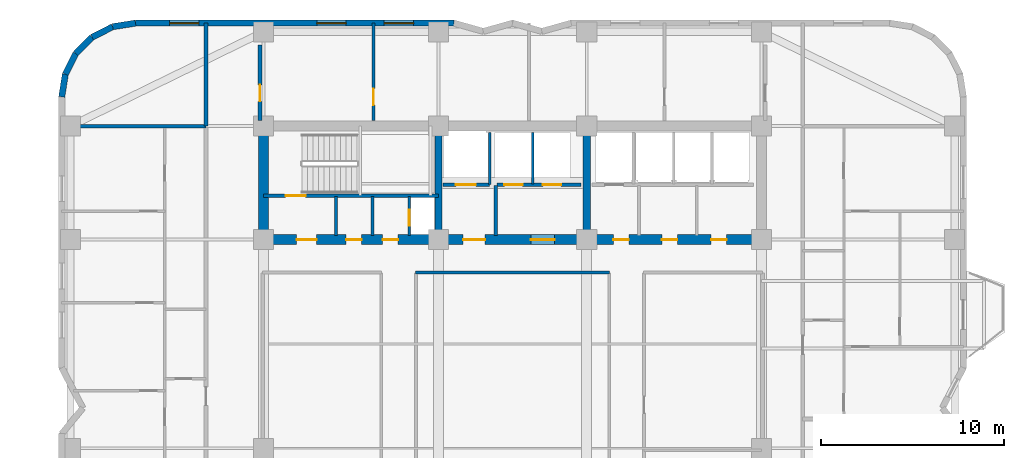
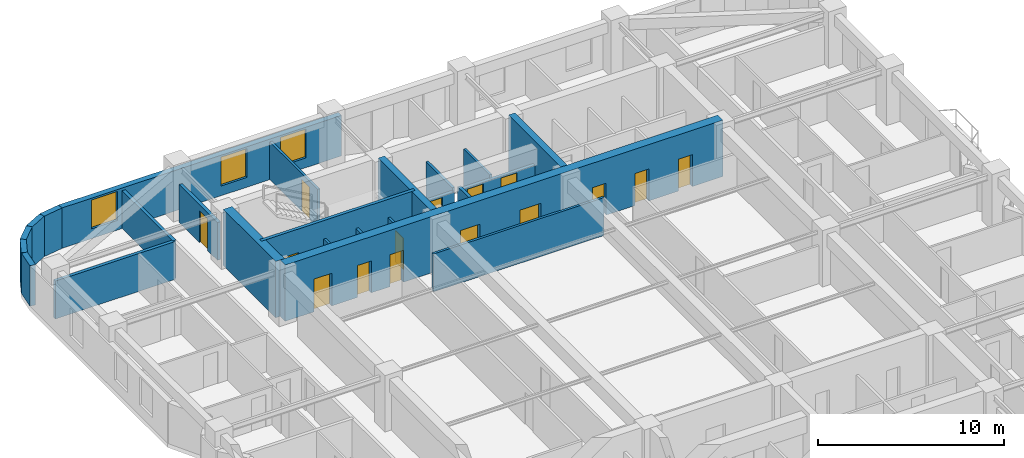
# One storey, part 6 of 10: 24 walls, 15 doors, 3 windows, 18 openings.
"""IFC4 building model written with IfcOpenShell, lengths in metres."""

from ifc_helpers import new_model, si_unit, direction, frame, frame_2d, origin, place, context, subcontext, project, spatial, rectangle, extrude, material, layer, layer_set, type_object, element, fill, save


model = new_model("IFC4")

# Units and contexts
model_context = context("Model", 3, precision=1e-05, world=origin(), true_north=direction((0.0, 1.0)))
body_context = subcontext(model_context, "Body", "Model", "MODEL_VIEW")
ifc_project = project(units=[si_unit("LENGTHUNIT", "METRE"), si_unit("AREAUNIT", "SQUARE_METRE"), si_unit("VOLUMEUNIT", "CUBIC_METRE"), si_unit("PLANEANGLEUNIT", "RADIAN"), si_unit("MASSUNIT", "GRAM", prefix="KILO")], contexts=[model_context])

# Site, building, storey
site_placement = place(None, origin())
site = spatial("IfcSite", under=ifc_project, at=site_placement, CompositionType="ELEMENT")
building_placement = place(site_placement, origin())
building = spatial("IfcBuilding", under=site, at=building_placement, Name="Svetorya Sky Lyceum", CompositionType="ELEMENT")
storey_placement = place(building_placement, frame((0.0, 0.0, 132.699951171875)))
storey = spatial("IfcBuildingStorey", under=building, at=storey_placement, Name="L33", CompositionType="ELEMENT", Elevation=132.699951171875)

# Walls
ifc_material_1 = material(Name="Concrete C40/50", Category="concrete")
ifc_layer_1 = layer(ifc_material_1, 0.39990234375)
ifc_layer_set_1 = layer_set([ifc_layer_1], Name="Concrete C40/50")
wall_type_1 = type_object("IfcWallType", Name="WL-CORE-400", PredefinedType="SHEAR", material=ifc_layer_set_1)
for number, where, z_axis, x_axis, name in (
    (1, (35.14990234375, 39.875, 0.0), (0.0, 0.0, 1.0), (0.0, 1.0, 0.0), "L33 NC Internal Shear Web WEB1"),
    (2, (43.25, 39.875, 0.0), (0.0, 0.0, 1.0), (0.0, 1.0, 0.0), "L33 NC Internal Shear Web WEB2"),
):
    element("IfcWall", number, at=place(storey_placement, frame(where, z_axis=z_axis, x_axis=x_axis)), inside=storey, type_object=wall_type_1, Name=name, PredefinedType="SHEAR", context=body_context, shape_type="SweptSolid", body=[
        extrude(rectangle(XDim=5.64990234375, YDim=0.39990234375, at=frame_2d((2.824951171875, 0.0))), origin(), (0.0, 0.0, 1.0), 3.699951171875),
    ])
ifc_material_2 = material(Name="Concrete C60/75", Category="concrete")
ifc_layer_2 = layer(ifc_material_2, 0.550048828125)
ifc_layer_set_2 = layer_set([ifc_layer_2], Name="Concrete C60/75")
wall_type_2 = type_object("IfcWallType", Name="WL-CORE-550", PredefinedType="SHEAR", material=ifc_layer_set_2)
wall_1_placement = place(storey_placement, frame((25.60009765625, 39.875, 0.0), z_axis=(0.0, 0.0, 1.0), x_axis=(0.0, 1.0, 0.0)))
element("IfcWall", 3, at=wall_1_placement, inside=storey, type_object=wall_type_2, Name="L33 NC West Core Shear Wall", PredefinedType="SHEAR", context=body_context, shape_type="SweptSolid", body=[
    extrude(rectangle(XDim=5.64990234375, YDim=0.550048828125, at=frame_2d((2.824951171875, 0.0))), origin(), (0.0, 0.0, 1.0), 3.699951171875),
])

# Wall, openings, doors
wall_2_placement = place(storey_placement, frame((52.800048828125, 39.60009765625, 0.0), z_axis=(0.0, 0.0, 1.0), x_axis=(-1.0, 0.0, 0.0)))
wall_2 = element("IfcWall", 4, at=wall_2_placement, inside=storey, type_object=wall_type_2, Name="L33 NC Inner Core Shear Wall", PredefinedType="SHEAR", context=body_context, shape_type="SweptSolid", body=[
    extrude(rectangle(XDim=27.199951171875, YDim=0.550048828125, at=frame_2d((13.60009765625, 0.0))), origin(), (0.0, 0.0, 1.0), 3.699951171875),
])
opening_1_placement = place(wall_2_placement, frame((24.300048828125, 0.0, 0.0)))
opening_1 = element("IfcOpeningElement", 5, at=opening_1_placement, cuts=wall_2, Name="Opening D-ST1", PredefinedType="OPENING", context=body_context, shape_type="SweptSolid", body=[
    extrude(rectangle(XDim=1.10009765625, YDim=2.14990234375, at=frame_2d((0.550048828125, 1.074951171875))), frame((0.0, 0.284912109375, 0.0), z_axis=(0.0, -1.0, 0.0), x_axis=(1.0, 0.0, 0.0)), (0.0, 0.0, 1.0), 0.570068359375),
])
opening_2_placement = place(wall_2_placement, frame((21.85009765625, 0.0, 0.0)))
opening_2 = element("IfcOpeningElement", 6, at=opening_2_placement, cuts=wall_2, Name="Opening D-CWC1", PredefinedType="OPENING", context=body_context, shape_type="SweptSolid", body=[
    extrude(rectangle(XDim=0.85009765625, YDim=2.10009765625, at=frame_2d((0.425048828125, 1.050048828125))), frame((0.0, 0.284912109375, 0.0), z_axis=(0.0, -1.0, 0.0), x_axis=(1.0, 0.0, 0.0)), (0.0, 0.0, 1.0), 0.570068359375),
])
opening_3_placement = place(wall_2_placement, frame((19.85009765625, 0.0, 0.0)))
opening_3 = element("IfcOpeningElement", 7, at=opening_3_placement, cuts=wall_2, Name="Opening D-CWC1", PredefinedType="OPENING", context=body_context, shape_type="SweptSolid", body=[
    extrude(rectangle(XDim=0.85009765625, YDim=2.10009765625, at=frame_2d((0.425048828125, 1.050048828125))), frame((0.0, 0.284912109375, 0.0), z_axis=(0.0, -1.0, 0.0), x_axis=(1.0, 0.0, 0.0)), (0.0, 0.0, 1.0), 0.570068359375),
])
opening_4_placement = place(wall_2_placement, frame((15.10009765625, 0.0, 0.0)))
opening_4 = element("IfcOpeningElement", 8, at=opening_4_placement, cuts=wall_2, Name="Opening D-FL1", PredefinedType="OPENING", context=body_context, shape_type="SweptSolid", body=[
    extrude(rectangle(XDim=1.199951171875, YDim=2.14990234375, at=frame_2d((0.60009765625, 1.074951171875))), frame((0.0, 0.284912109375, 0.0), z_axis=(0.0, -1.0, 0.0), x_axis=(1.0, 0.0, 0.0)), (0.0, 0.0, 1.0), 0.570068359375),
])
opening_5_placement = place(wall_2_placement, frame((11.300048828125, 0.0, 0.0)))
opening_5 = element("IfcOpeningElement", 9, at=opening_5_placement, cuts=wall_2, Name="Opening D-LB1", PredefinedType="OPENING", context=body_context, shape_type="SweptSolid", body=[
    extrude(rectangle(XDim=1.300048828125, YDim=2.199951171875, at=frame_2d((0.64990234375, 1.10009765625))), frame((0.0, 0.284912109375, 0.0), z_axis=(0.0, -1.0, 0.0), x_axis=(1.0, 0.0, 0.0)), (0.0, 0.0, 1.0), 0.570068359375),
])
opening_6_placement = place(wall_2_placement, frame((7.25, 0.0, 0.0)))
opening_6 = element("IfcOpeningElement", 10, at=opening_6_placement, cuts=wall_2, Name="Opening D-CWC1", PredefinedType="OPENING", context=body_context, shape_type="SweptSolid", body=[
    extrude(rectangle(XDim=0.85009765625, YDim=2.10009765625, at=frame_2d((0.425048828125, 1.050048828125))), frame((0.0, 0.284912109375, 0.0), z_axis=(0.0, -1.0, 0.0), x_axis=(1.0, 0.0, 0.0)), (0.0, 0.0, 1.0), 0.570068359375),
])
opening_7_placement = place(wall_2_placement, frame((4.60009765625, 0.0, 0.0)))
opening_7 = element("IfcOpeningElement", 11, at=opening_7_placement, cuts=wall_2, Name="Opening D-CWC1", PredefinedType="OPENING", context=body_context, shape_type="SweptSolid", body=[
    extrude(rectangle(XDim=0.85009765625, YDim=2.10009765625, at=frame_2d((0.425048828125, 1.050048828125))), frame((0.0, 0.284912109375, 0.0), z_axis=(0.0, -1.0, 0.0), x_axis=(1.0, 0.0, 0.0)), (0.0, 0.0, 1.0), 0.570068359375),
])
opening_8_placement = place(wall_2_placement, frame((1.89990234375, 0.0, 0.0)))
opening_8 = element("IfcOpeningElement", 12, at=opening_8_placement, cuts=wall_2, Name="Opening D-CWC1", PredefinedType="OPENING", context=body_context, shape_type="SweptSolid", body=[
    extrude(rectangle(XDim=0.85009765625, YDim=2.10009765625, at=frame_2d((0.425048828125, 1.050048828125))), frame((0.0, 0.284912109375, 0.0), z_axis=(0.0, -1.0, 0.0), x_axis=(1.0, 0.0, 0.0)), (0.0, 0.0, 1.0), 0.570068359375),
])
ifc_material_3 = material(Name="Fire-rated galvanized steel core service closet door", Category="steel")
door_type_1 = type_object("IfcDoorType", Name="DR-CWET-850", OperationType="SINGLE_SWING_LEFT", PredefinedType="DOOR", material=ifc_material_3)
door_1_placement = place(opening_2_placement, origin())
door_1 = element("IfcDoor", 13, at=door_1_placement, inside=storey, type_object=door_type_1, Name="L33 North Cleaner Door", OperationType="SINGLE_SWING_RIGHT", OverallHeight=2.10009765625, OverallWidth=0.85009765625, PredefinedType="DOOR", context=body_context, shape_type="SweptSolid", body=[
    extrude(rectangle(XDim=0.85009765625, YDim=2.10009765625, at=frame_2d((0.425048828125, 1.050048828125))), frame((0.0, 0.02490234375, 0.0), z_axis=(0.0, -1.0, 0.0), x_axis=(1.0, 0.0, 0.0)), (0.0, 0.0, 1.0), 0.050048828125),
])
fill(opening_2, door_1)
door_2_placement = place(opening_3_placement, origin())
door_2 = element("IfcDoor", 14, at=door_2_placement, inside=storey, type_object=door_type_1, Name="L33 North Meter Door", OperationType="SINGLE_SWING_LEFT", OverallHeight=2.10009765625, OverallWidth=0.85009765625, PredefinedType="DOOR", context=body_context, shape_type="SweptSolid", body=[
    extrude(rectangle(XDim=0.85009765625, YDim=2.10009765625, at=frame_2d((0.425048828125, 1.050048828125))), frame((0.0, 0.02490234375, 0.0), z_axis=(0.0, -1.0, 0.0), x_axis=(1.0, 0.0, 0.0)), (0.0, 0.0, 1.0), 0.050048828125),
])
fill(opening_3, door_2)
door_3_placement = place(opening_6_placement, origin())
door_3 = element("IfcDoor", 15, at=door_3_placement, inside=storey, type_object=door_type_1, Name="L33 Mid-Rise Lift PM3 Lobby Door", OperationType="SINGLE_SWING_LEFT", OverallHeight=2.10009765625, OverallWidth=0.85009765625, PredefinedType="DOOR", context=body_context, shape_type="SweptSolid", body=[
    extrude(rectangle(XDim=0.85009765625, YDim=2.10009765625, at=frame_2d((0.425048828125, 1.050048828125))), frame((0.0, 0.02490234375, 0.0), z_axis=(0.0, -1.0, 0.0), x_axis=(1.0, 0.0, 0.0)), (0.0, 0.0, 1.0), 0.050048828125),
])
fill(opening_6, door_3)
door_4_placement = place(opening_7_placement, origin())
door_4 = element("IfcDoor", 16, at=door_4_placement, inside=storey, type_object=door_type_1, Name="L33 Mid-Rise WC Door", OperationType="SINGLE_SWING_LEFT", OverallHeight=2.10009765625, OverallWidth=0.85009765625, PredefinedType="DOOR", context=body_context, shape_type="SweptSolid", body=[
    extrude(rectangle(XDim=0.85009765625, YDim=2.10009765625, at=frame_2d((0.425048828125, 1.050048828125))), frame((0.0, 0.02490234375, 0.0), z_axis=(0.0, -1.0, 0.0), x_axis=(1.0, 0.0, 0.0)), (0.0, 0.0, 1.0), 0.050048828125),
])
fill(opening_7, door_4)
door_5_placement = place(opening_8_placement, origin())
door_5 = element("IfcDoor", 17, at=door_5_placement, inside=storey, type_object=door_type_1, Name="L33 Mid-Rise Switch Closet Door", OperationType="SINGLE_SWING_RIGHT", OverallHeight=2.10009765625, OverallWidth=0.85009765625, PredefinedType="DOOR", context=body_context, shape_type="SweptSolid", body=[
    extrude(rectangle(XDim=0.85009765625, YDim=2.10009765625, at=frame_2d((0.425048828125, 1.050048828125))), frame((0.0, 0.02490234375, 0.0), z_axis=(0.0, -1.0, 0.0), x_axis=(1.0, 0.0, 0.0)), (0.0, 0.0, 1.0), 0.050048828125),
])
fill(opening_8, door_5)
ifc_material_4 = material(Name="Powder-coated insulated galvanized stair fire door")
door_type_2 = type_object("IfcDoorType", Name="DR-FIRE-1100", OperationType="SINGLE_SWING_LEFT", PredefinedType="DOOR", material=ifc_material_4)
door_6_placement = place(opening_1_placement, origin())
door_6 = element("IfcDoor", 18, at=door_6_placement, inside=storey, type_object=door_type_2, Name="L33 North Stair Airlock Door", OperationType="SINGLE_SWING_LEFT", OverallHeight=2.14990234375, OverallWidth=1.10009765625, PredefinedType="DOOR", context=body_context, shape_type="SweptSolid", body=[
    extrude(rectangle(XDim=1.10009765625, YDim=2.14990234375, at=frame_2d((0.550048828125, 1.074951171875))), frame((0.0, 0.02490234375, 0.0), z_axis=(0.0, -1.0, 0.0), x_axis=(1.0, 0.0, 0.0)), (0.0, 0.0, 1.0), 0.050048828125),
])
fill(opening_1, door_6)
ifc_material_5 = material(Name="Powder-coated insulated galvanized fire door")
door_type_3 = type_object("IfcDoorType", Name="DR-FIRE-1200", OperationType="SINGLE_SWING_LEFT", PredefinedType="DOOR", material=ifc_material_5)
door_7_placement = place(opening_4_placement, origin())
door_7 = element("IfcDoor", 19, at=door_7_placement, inside=storey, type_object=door_type_3, Name="L33 North Firefighting Lift Lobby Door", OperationType="SINGLE_SWING_RIGHT", OverallHeight=2.14990234375, OverallWidth=1.199951171875, PredefinedType="DOOR", context=body_context, shape_type="SweptSolid", body=[
    extrude(rectangle(XDim=1.199951171875, YDim=2.14990234375, at=frame_2d((0.60009765625, 1.074951171875))), frame((0.0, 0.02490234375, 0.0), z_axis=(0.0, -1.0, 0.0), x_axis=(1.0, 0.0, 0.0)), (0.0, 0.0, 1.0), 0.050048828125),
])
fill(opening_4, door_7)
ifc_material_6 = material(Name="Glazed fire-rated aluminium lobby door", Category="aluminium")
door_type_4 = type_object("IfcDoorType", Name="DR-LOB-1300", OperationType="SINGLE_SWING_LEFT", PredefinedType="DOOR", material=ifc_material_6)
door_8_placement = place(opening_5_placement, origin())
door_8 = element("IfcDoor", 20, at=door_8_placement, inside=storey, type_object=door_type_4, Name="L33 Mid-Rise Lift Lobby West Door", OperationType="SINGLE_SWING_LEFT", OverallHeight=2.199951171875, OverallWidth=1.300048828125, PredefinedType="DOOR", context=body_context, shape_type="SweptSolid", body=[
    extrude(rectangle(XDim=1.300048828125, YDim=2.199951171875, at=frame_2d((0.64990234375, 1.10009765625))), frame((0.0, 0.02490234375, 0.0), z_axis=(0.0, -1.0, 0.0), x_axis=(1.0, 0.0, 0.0)), (0.0, 0.0, 1.0), 0.050048828125),
])
fill(opening_5, door_8)

# Wall, openings, windows
ifc_material_7 = material(Name="Putilovo limestone rainscreen on autoclaved cellular masonry", Category="masonry")
ifc_layer_3 = layer(ifc_material_7, 0.340087890625)
ifc_layer_set_3 = layer_set([ifc_layer_3], Name="Putilovo limestone rainscreen on autoclaved cellular masonry")
wall_type_3 = type_object("IfcWallType", Name="WL-EXT-340", PredefinedType="SOLIDWALL", material=ifc_layer_set_3)
wall_3_placement = place(storey_placement, frame((36.0, 51.429931640625, 0.0), z_axis=(0.0, 0.0, 1.0), x_axis=(-1.0, 0.0, 0.0)))
wall_3 = element("IfcWall", 21, at=wall_3_placement, inside=storey, type_object=wall_type_3, Name="L33 Limestone Exterior Wall 34M", PredefinedType="SOLIDWALL", context=body_context, shape_type="SweptSolid", body=[
    extrude(rectangle(XDim=17.39990234375, YDim=0.340087890625, at=frame_2d((8.699951171875, 0.0))), origin(), (0.0, 0.0, 1.0), 2.66015625),
])
opening_9_placement = place(wall_3_placement, frame((2.21240234375, 0.0, 0.639892578125)))
opening_9 = element("IfcOpeningElement", 22, at=opening_9_placement, cuts=wall_3, Name="Opening W-R4", PredefinedType="OPENING", context=body_context, shape_type="SweptSolid", body=[
    extrude(rectangle(XDim=1.60009765625, YDim=1.89990234375, at=frame_2d((0.800048828125, 0.949951171875))), frame((0.0, 0.179931640625, 0.0), z_axis=(0.0, -1.0, 0.0), x_axis=(1.0, 0.0, 0.0)), (0.0, 0.0, 1.0), 0.360107421875),
])
opening_10_placement = place(wall_3_placement, frame((5.887451171875, 0.0, 0.639892578125)))
opening_10 = element("IfcOpeningElement", 23, at=opening_10_placement, cuts=wall_3, Name="Opening W-R4", PredefinedType="OPENING", context=body_context, shape_type="SweptSolid", body=[
    extrude(rectangle(XDim=1.60009765625, YDim=1.89990234375, at=frame_2d((0.800048828125, 0.949951171875))), frame((0.0, 0.179931640625, 0.0), z_axis=(0.0, -1.0, 0.0), x_axis=(1.0, 0.0, 0.0)), (0.0, 0.0, 1.0), 0.360107421875),
])
opening_11_placement = place(wall_3_placement, frame((13.9375, 0.0, 0.639892578125)))
opening_11 = element("IfcOpeningElement", 24, at=opening_11_placement, cuts=wall_3, Name="Opening W-R4", PredefinedType="OPENING", context=body_context, shape_type="SweptSolid", body=[
    extrude(rectangle(XDim=1.60009765625, YDim=1.89990234375, at=frame_2d((0.800048828125, 0.949951171875))), frame((0.0, 0.179931640625, 0.0), z_axis=(0.0, -1.0, 0.0), x_axis=(1.0, 0.0, 0.0)), (0.0, 0.0, 1.0), 0.360107421875),
])
ifc_material_8 = material(Name="Thermally broken aluminium frame with triple low-E glazing", Category="aluminium")
window_type = type_object("IfcWindowType", Name="WN-RES-160", PartitioningType="DOUBLE_PANEL_VERTICAL", PredefinedType="WINDOW", material=ifc_material_8)
window_1_placement = place(opening_9_placement, origin())
window_1 = element("IfcWindow", 25, at=window_1_placement, inside=storey, type_object=window_type, Name="L33 Facade Window W-R4.34M.1", OverallHeight=1.89990234375, OverallWidth=1.60009765625, PartitioningType="SINGLE_PANEL", PredefinedType="WINDOW", context=body_context, shape_type="SweptSolid", body=[
    extrude(rectangle(XDim=1.60009765625, YDim=1.89990234375, at=frame_2d((0.800048828125, 0.949951171875))), frame((0.0, 0.030029296875, 0.0), z_axis=(0.0, -1.0, 0.0), x_axis=(1.0, 0.0, 0.0)), (0.0, 0.0, 1.0), 0.06005859375),
])
fill(opening_9, window_1)
window_2_placement = place(opening_10_placement, origin())
window_2 = element("IfcWindow", 26, at=window_2_placement, inside=storey, type_object=window_type, Name="L33 Facade Window W-R4.34M.2", OverallHeight=1.89990234375, OverallWidth=1.60009765625, PartitioningType="SINGLE_PANEL", PredefinedType="WINDOW", context=body_context, shape_type="SweptSolid", body=[
    extrude(rectangle(XDim=1.60009765625, YDim=1.89990234375, at=frame_2d((0.800048828125, 0.949951171875))), frame((0.0, 0.030029296875, 0.0), z_axis=(0.0, -1.0, 0.0), x_axis=(1.0, 0.0, 0.0)), (0.0, 0.0, 1.0), 0.06005859375),
])
fill(opening_10, window_2)
window_3_placement = place(opening_11_placement, origin())
window_3 = element("IfcWindow", 27, at=window_3_placement, inside=storey, type_object=window_type, Name="L33 Facade Window W-R4.34M.3", OverallHeight=1.89990234375, OverallWidth=1.60009765625, PartitioningType="SINGLE_PANEL", PredefinedType="WINDOW", context=body_context, shape_type="SweptSolid", body=[
    extrude(rectangle(XDim=1.60009765625, YDim=1.89990234375, at=frame_2d((0.800048828125, 0.949951171875))), frame((0.0, 0.030029296875, 0.0), z_axis=(0.0, -1.0, 0.0), x_axis=(1.0, 0.0, 0.0)), (0.0, 0.0, 1.0), 0.06005859375),
])
fill(opening_11, window_3)

# Walls
wall_4_placement = place(storey_placement, frame((18.60009765625, 51.429931640625, 0.0), z_axis=(0.0, 0.0, 1.0), x_axis=(-0.98771582066, -0.156260864002, 0.0)))
element("IfcWall", 28, at=wall_4_placement, inside=storey, type_object=wall_type_3, Name="L33 Limestone Exterior Wall 35M", PredefinedType="SOLIDWALL", context=body_context, shape_type="SweptSolid", body=[
    extrude(rectangle(XDim=1.2607421875, YDim=0.340087890625, at=frame_2d((0.63037109375, 0.0))), origin(), (0.0, 0.0, 1.0), 2.66015625),
])
for number, where, z_axis, x_axis, name in (
    (29, (17.354736328125, 51.23291015625, 0.0), (0.0, 0.0, 1.0), (-0.890993689142, -0.454015689056, 0.0), "L33 Limestone Exterior Wall 36M"),
    (30, (16.231201171875, 50.660400390625, 0.0), (0.0, 0.0, 1.0), (-0.707106781187, -0.707106781187, 0.0), "L33 Limestone Exterior Wall 37M"),
    (31, (15.339599609375, 49.768798828125, 0.0), (0.0, 0.0, 1.0), (-0.454015689056, -0.890993689142, 0.0), "L33 Limestone Exterior Wall 38M"),
):
    element("IfcWall", number, at=place(storey_placement, frame(where, z_axis=z_axis, x_axis=x_axis)), inside=storey, type_object=wall_type_3, Name=name, PredefinedType="SOLIDWALL", context=body_context, shape_type="SweptSolid", body=[
        extrude(rectangle(XDim=1.260986328125, YDim=0.340087890625, at=frame_2d((0.63037109375, 0.0))), origin(), (0.0, 0.0, 1.0), 2.66015625),
    ])
wall_5_placement = place(storey_placement, frame((14.76708984375, 48.645263671875, 0.0), z_axis=(0.0, 0.0, 1.0), x_axis=(-0.156260864002, -0.98771582066, 0.0)))
element("IfcWall", 32, at=wall_5_placement, inside=storey, type_object=wall_type_3, Name="L33 Limestone Exterior Wall 39M", PredefinedType="SOLIDWALL", context=body_context, shape_type="SweptSolid", body=[
    extrude(rectangle(XDim=1.2607421875, YDim=0.340087890625, at=frame_2d((0.63037109375, 0.0))), origin(), (0.0, 0.0, 1.0), 2.66015625),
])

# Wall, opening, door
ifc_material_9 = material(Name="Autoclaved cellular masonry blockwork with acoustic render", Category="masonry")
ifc_layer_4 = layer(ifc_material_9, 0.14990234375)
ifc_layer_set_4 = layer_set([ifc_layer_4], Name="Autoclaved cellular masonry blockwork with acoustic render")
wall_type_4 = type_object("IfcWallType", Name="WL-PART-150", PredefinedType="PARTITIONING", material=ifc_layer_set_4)
wall_6_placement = place(storey_placement, frame((33.550048828125, 39.820068359375, 0.0), z_axis=(0.0, 0.0, 1.0), x_axis=(0.0, 1.0, 0.0)))
wall_6 = element("IfcWall", 33, at=wall_6_placement, inside=storey, type_object=wall_type_4, Name="L33 Interior Partition NC-RSRW", PredefinedType="PARTITIONING", context=body_context, shape_type="SweptSolid", body=[
    extrude(rectangle(XDim=2.1298828125, YDim=0.14990234375, at=frame_2d((1.06494140625, 0.0))), origin(), (0.0, 0.0, 1.0), 2.489990234375),
])
opening_12_placement = place(wall_6_placement, frame((0.550048828125, 0.0, 0.0)))
opening_12 = element("IfcOpeningElement", 34, at=opening_12_placement, cuts=wall_6, Name="Opening D-SH1", PredefinedType="OPENING", context=body_context, shape_type="SweptSolid", body=[
    extrude(rectangle(XDim=0.85009765625, YDim=2.050048828125, at=frame_2d((0.425048828125, 1.02490234375))), frame((0.0, 0.0849609375, 0.0), z_axis=(0.0, -1.0, 0.0), x_axis=(1.0, 0.0, 0.0)), (0.0, 0.0, 1.0), 0.169921875),
])
ifc_material_10 = material(Name="Insulated galvanized riser inspection fire door")
door_type_5 = type_object("IfcDoorType", Name="DR-SHFT-850", OperationType="SINGLE_SWING_LEFT", PredefinedType="TRAPDOOR", material=ifc_material_10)
door_9_placement = place(opening_12_placement, origin())
door_9 = element("IfcDoor", 35, at=door_9_placement, inside=storey, type_object=door_type_5, Name="L33 North Riser Access Door", OperationType="SINGLE_SWING_LEFT", OverallHeight=2.050048828125, OverallWidth=0.85009765625, PredefinedType="TRAPDOOR", context=body_context, shape_type="SweptSolid", body=[
    extrude(rectangle(XDim=0.85009765625, YDim=2.050048828125, at=frame_2d((0.425048828125, 1.02490234375))), frame((0.0, 0.02490234375, 0.0), z_axis=(0.0, -1.0, 0.0), x_axis=(1.0, 0.0, 0.0)), (0.0, 0.0, 1.0), 0.050048828125),
])
fill(opening_12, door_9)

# Walls
for number, where, z_axis, x_axis, name in (
    (36, (29.550048828125, 39.820068359375, 0.0), (0.0, 0.0, 1.0), (0.0, 1.0, 0.0), "L33 Interior Partition NC-NWD1"),
    (37, (31.550048828125, 39.820068359375, 0.0), (0.0, 0.0, 1.0), (0.0, 1.0, 0.0), "L33 Interior Partition NC-NWD2"),
):
    element("IfcWall", number, at=place(storey_placement, frame(where, z_axis=z_axis, x_axis=x_axis)), inside=storey, type_object=wall_type_4, Name=name, PredefinedType="PARTITIONING", context=body_context, shape_type="SweptSolid", body=[
        extrude(rectangle(XDim=2.1298828125, YDim=0.14990234375, at=frame_2d((1.06494140625, 0.0))), origin(), (0.0, 0.0, 1.0), 2.489990234375),
    ])
wall_7_placement = place(storey_placement, frame((37.949951171875, 42.60009765625, 0.0), z_axis=(0.0, 0.0, 1.0), x_axis=(0.0, 1.0, 0.0)))
element("IfcWall", 38, at=wall_7_placement, inside=storey, type_object=wall_type_4, Name="L33 Interior Partition NC-FL1SIDE", PredefinedType="PARTITIONING", context=body_context, shape_type="SweptSolid", body=[
    extrude(rectangle(XDim=2.849853515625, YDim=0.14990234375, at=frame_2d((1.4248046875, 0.0))), origin(), (0.0, 0.0, 1.0), 2.489990234375),
])
wall_8_placement = place(storey_placement, frame((40.300048828125, 42.64990234375, 0.0), z_axis=(0.0, 0.0, 1.0), x_axis=(0.0, 1.0, 0.0)))
element("IfcWall", 39, at=wall_8_placement, inside=storey, type_object=wall_type_4, Name="L33 Interior Partition NC-PM-D1", PredefinedType="PARTITIONING", context=body_context, shape_type="SweptSolid", body=[
    extrude(rectangle(XDim=2.800048828125, YDim=0.14990234375, at=frame_2d((1.39990234375, 0.0))), origin(), (0.0, 0.0, 1.0), 2.489990234375),
])
wall_9_placement = place(storey_placement, frame((33.89990234375, 37.800048828125, 0.0), z_axis=(0.0, 0.0, 1.0), x_axis=(1.0, 0.0, 0.0)))
element("IfcWall", 40, at=wall_9_placement, inside=storey, type_object=wall_type_4, Name="L33 Interior Partition RL-CN-M", PredefinedType="PARTITIONING", context=body_context, shape_type="SweptSolid", body=[
    extrude(rectangle(XDim=10.60009765625, YDim=0.14990234375, at=frame_2d((5.300048828125, 0.0))), origin(), (0.0, 0.0, 1.0), 2.489990234375),
])

# Wall, opening, door
wall_10_placement = place(storey_placement, frame((31.60009765625, 46.10009765625, 0.0), z_axis=(0.0, 0.0, 1.0), x_axis=(0.0, 1.0, 0.0)))
wall_10 = element("IfcWall", 41, at=wall_10_placement, inside=storey, type_object=wall_type_4, Name="L33 Interior Partition N4-D1", PredefinedType="PARTITIONING", context=body_context, shape_type="SweptSolid", body=[
    extrude(rectangle(XDim=5.329833984375, YDim=0.14990234375, at=frame_2d((2.6650390625, 0.0))), origin(), (0.0, 0.0, 1.0), 2.489990234375),
])
opening_13_placement = place(wall_10_placement, frame((0.85009765625, 0.0, 0.0)))
opening_13 = element("IfcOpeningElement", 42, at=opening_13_placement, cuts=wall_10, Name="Opening D-RM1", PredefinedType="OPENING", context=body_context, shape_type="SweptSolid", body=[
    extrude(rectangle(XDim=0.89990234375, YDim=2.10009765625, at=frame_2d((0.449951171875, 1.050048828125))), frame((0.0, 0.0849609375, 0.0), z_axis=(0.0, -1.0, 0.0), x_axis=(1.0, 0.0, 0.0)), (0.0, 0.0, 1.0), 0.169921875),
])
ifc_material_11 = material(Name="Lacquered birch veneer internal door")
door_type_6 = type_object("IfcDoorType", Name="DR-INT-900", OperationType="SINGLE_SWING_LEFT", PredefinedType="DOOR", material=ifc_material_11)
door_10_placement = place(opening_13_placement, origin())
door_10 = element("IfcDoor", 43, at=door_10_placement, inside=storey, type_object=door_type_6, Name="L33 North Suite Door 1", OperationType="SINGLE_SWING_RIGHT", OverallHeight=2.10009765625, OverallWidth=0.89990234375, PredefinedType="DOOR", context=body_context, shape_type="SweptSolid", body=[
    extrude(rectangle(XDim=0.89990234375, YDim=2.10009765625, at=frame_2d((0.449951171875, 1.050048828125))), frame((0.0, 0.02490234375, 0.0), z_axis=(0.0, -1.0, 0.0), x_axis=(1.0, 0.0, 0.0)), (0.0, 0.0, 1.0), 0.050048828125),
])
fill(opening_13, door_10)

ifc_material_12 = material(Name="Autoclaved cellular masonry blockwork with gypsum plaster", Category="masonry")
ifc_layer_5 = layer(ifc_material_12, 0.199951171875)
ifc_layer_set_5 = layer_set([ifc_layer_5], Name="Autoclaved cellular masonry blockwork with gypsum plaster")
wall_type_5 = type_object("IfcWallType", Name="WL-PART-200", PredefinedType="PARTITIONING", material=ifc_layer_set_5)
wall_11_placement = place(storey_placement, frame((37.949951171875, 42.60009765625, 0.0), z_axis=(0.0, 0.0, 1.0), x_axis=(-1.0, 0.0, 0.0)))
wall_11 = element("IfcWall", 44, at=wall_11_placement, inside=storey, type_object=wall_type_5, Name="L33 Interior Partition NC-FL1W", PredefinedType="PARTITIONING", context=body_context, shape_type="SweptSolid", body=[
    extrude(rectangle(XDim=2.550048828125, YDim=0.199951171875, at=frame_2d((1.27490234375, 0.0))), origin(), (0.0, 0.0, 1.0), 2.260009765625),
])
opening_14_placement = place(wall_11_placement, frame((0.75, 0.0, 0.0)))
opening_14 = element("IfcOpeningElement", 45, at=opening_14_placement, cuts=wall_11, Name="Opening LD-FL", PredefinedType="OPENING", context=body_context, shape_type="SweptSolid", body=[
    extrude(rectangle(XDim=1.10009765625, YDim=2.14990234375, at=frame_2d((0.550048828125, 1.074951171875))), frame((0.0, 0.10986328125, 0.0), z_axis=(0.0, -1.0, 0.0), x_axis=(1.0, 0.0, 0.0)), (0.0, 0.0, 1.0), 0.219970703125),
])
ifc_material_13 = material(Name="Fire-rated stainless AISI 304 firefighting lift landing door")
door_type_7 = type_object("IfcDoorType", Name="DR-LIFT-1100", OperationType="SLIDING_TO_LEFT", PredefinedType="DOOR", material=ifc_material_13)
door_11_placement = place(opening_14_placement, origin())
door_11 = element("IfcDoor", 46, at=door_11_placement, inside=storey, type_object=door_type_7, Name="L33 Firefighting Lift FL1 Landing Door", OperationType="SLIDING_TO_LEFT", OverallHeight=2.14990234375, OverallWidth=1.10009765625, PredefinedType="DOOR", context=body_context, shape_type="SweptSolid", body=[
    extrude(rectangle(XDim=1.10009765625, YDim=2.14990234375, at=frame_2d((0.550048828125, 1.074951171875))), frame((0.0, 0.02490234375, 0.0), z_axis=(0.0, -1.0, 0.0), x_axis=(1.0, 0.0, 0.0)), (0.0, 0.0, 1.0), 0.050048828125),
])
fill(opening_14, door_11)

# Wall
wall_12_placement = place(storey_placement, frame((38.280029296875, 39.820068359375, 0.0), z_axis=(0.0, 0.0, 1.0), x_axis=(0.0, 1.0, 0.0)))
element("IfcWall", 47, at=wall_12_placement, inside=storey, type_object=wall_type_5, Name="L33 Interior Partition NC-FFLDIV", PredefinedType="PARTITIONING", context=body_context, shape_type="SweptSolid", body=[
    extrude(rectangle(XDim=2.72998046875, YDim=0.199951171875, at=frame_2d((1.364990234375, 0.0))), origin(), (0.0, 0.0, 1.0), 2.489990234375),
])

# Wall, openings, doors
wall_13_placement = place(storey_placement, frame((42.949951171875, 42.60009765625, 0.0), z_axis=(0.0, 0.0, 1.0), x_axis=(-1.0, 0.0, 0.0)))
wall_13 = element("IfcWall", 48, at=wall_13_placement, inside=storey, type_object=wall_type_5, Name="L33 Interior Partition NC-PM12W", PredefinedType="PARTITIONING", context=body_context, shape_type="SweptSolid", body=[
    extrude(rectangle(XDim=4.599853515625, YDim=0.199951171875, at=frame_2d((2.2998046875, 0.0))), origin(), (0.0, 0.0, 1.0), 2.260009765625),
])
opening_15_placement = place(wall_13_placement, frame((3.199951171875, 0.0, 0.0)))
opening_15 = element("IfcOpeningElement", 49, at=opening_15_placement, cuts=wall_13, Name="Opening LD-P1", PredefinedType="OPENING", context=body_context, shape_type="SweptSolid", body=[
    extrude(rectangle(XDim=1.0, YDim=2.14990234375, at=frame_2d((0.5, 1.074951171875))), frame((0.0, 0.10986328125, 0.0), z_axis=(0.0, -1.0, 0.0), x_axis=(1.0, 0.0, 0.0)), (0.0, 0.0, 1.0), 0.219970703125),
])
opening_16_placement = place(wall_13_placement, frame((1.10009765625, 0.0, 0.0)))
opening_16 = element("IfcOpeningElement", 50, at=opening_16_placement, cuts=wall_13, Name="Opening LD-P1", PredefinedType="OPENING", context=body_context, shape_type="SweptSolid", body=[
    extrude(rectangle(XDim=1.0, YDim=2.14990234375, at=frame_2d((0.5, 1.074951171875))), frame((0.0, 0.10986328125, 0.0), z_axis=(0.0, -1.0, 0.0), x_axis=(1.0, 0.0, 0.0)), (0.0, 0.0, 1.0), 0.219970703125),
])
ifc_material_14 = material(Name="Champagne-anodized stainless passenger lift landing door")
door_type_8 = type_object("IfcDoorType", Name="DR-LIFT-1000", OperationType="SLIDING_TO_LEFT", PredefinedType="DOOR", material=ifc_material_14)
door_12_placement = place(opening_15_placement, origin())
door_12 = element("IfcDoor", 51, at=door_12_placement, inside=storey, type_object=door_type_8, Name="L33 Passenger Lift PM1 Landing Door", OperationType="SLIDING_TO_LEFT", OverallHeight=2.14990234375, OverallWidth=1.0, PredefinedType="DOOR", context=body_context, shape_type="SweptSolid", body=[
    extrude(rectangle(XDim=1.0, YDim=2.14990234375, at=frame_2d((0.5, 1.074951171875))), frame((0.0, 0.02490234375, 0.0), z_axis=(0.0, -1.0, 0.0), x_axis=(1.0, 0.0, 0.0)), (0.0, 0.0, 1.0), 0.050048828125),
])
fill(opening_15, door_12)
door_13_placement = place(opening_16_placement, origin())
door_13 = element("IfcDoor", 52, at=door_13_placement, inside=storey, type_object=door_type_8, Name="L33 Passenger Lift PM2 Landing Door", OperationType="SLIDING_TO_LEFT", OverallHeight=2.14990234375, OverallWidth=1.0, PredefinedType="DOOR", context=body_context, shape_type="SweptSolid", body=[
    extrude(rectangle(XDim=1.0, YDim=2.14990234375, at=frame_2d((0.5, 1.074951171875))), frame((0.0, 0.02490234375, 0.0), z_axis=(0.0, -1.0, 0.0), x_axis=(1.0, 0.0, 0.0)), (0.0, 0.0, 1.0), 0.050048828125),
])
fill(opening_16, door_13)

# Walls
wall_14_placement = place(storey_placement, frame((14.989990234375, 45.800048828125, 0.0), z_axis=(0.0, 0.0, 1.0), x_axis=(1.0, 0.0, 0.0)))
element("IfcWall", 53, at=wall_14_placement, inside=storey, type_object=wall_type_5, Name="L33 Interior Partition W-CAP-N", PredefinedType="PARTITIONING", context=body_context, shape_type="SweptSolid", body=[
    extrude(rectangle(XDim=7.4599609375, YDim=0.199951171875, at=frame_2d((3.72998046875, 0.0))), origin(), (0.0, 0.0, 1.0), 2.489990234375),
])
wall_15_placement = place(storey_placement, frame((22.449951171875, 45.800048828125, 0.0), z_axis=(0.0, 0.0, 1.0), x_axis=(0.0, 1.0, 0.0)))
element("IfcWall", 54, at=wall_15_placement, inside=storey, type_object=wall_type_5, Name="L33 Interior Partition WC-NW-END", PredefinedType="PARTITIONING", context=body_context, shape_type="SweptSolid", body=[
    extrude(rectangle(XDim=5.6298828125, YDim=0.199951171875, at=frame_2d((2.81494140625, 0.0))), origin(), (0.0, 0.0, 1.0), 2.489990234375),
])

# Wall, opening, door
wall_16_placement = place(storey_placement, frame((25.39990234375, 46.10009765625, 0.0), z_axis=(0.0, 0.0, 1.0), x_axis=(0.0, 1.0, 0.0)))
wall_16 = element("IfcWall", 55, at=wall_16_placement, inside=storey, type_object=wall_type_5, Name="L33 Interior Partition N4-EW", PredefinedType="PARTITIONING", context=body_context, shape_type="SweptSolid", body=[
    extrude(rectangle(XDim=4.1298828125, YDim=0.199951171875, at=frame_2d((2.06494140625, 0.0))), origin(), (0.0, 0.0, 1.0), 2.489990234375),
])
opening_17_placement = place(wall_16_placement, frame((1.050048828125, 0.0, 0.0)))
opening_17 = element("IfcOpeningElement", 56, at=opening_17_placement, cuts=wall_16, Name="Opening D-RM1", PredefinedType="OPENING", context=body_context, shape_type="SweptSolid", body=[
    extrude(rectangle(XDim=0.89990234375, YDim=2.10009765625, at=frame_2d((0.449951171875, 1.050048828125))), frame((0.0, 0.10986328125, 0.0), z_axis=(0.0, -1.0, 0.0), x_axis=(1.0, 0.0, 0.0)), (0.0, 0.0, 1.0), 0.219970703125),
])
door_14_placement = place(opening_17_placement, origin())
door_14 = element("IfcDoor", 57, at=door_14_placement, inside=storey, type_object=door_type_6, Name="L33 NW Study Door", OperationType="SINGLE_SWING_RIGHT", OverallHeight=2.10009765625, OverallWidth=0.89990234375, PredefinedType="DOOR", context=body_context, shape_type="SweptSolid", body=[
    extrude(rectangle(XDim=0.89990234375, YDim=2.10009765625, at=frame_2d((0.449951171875, 1.050048828125))), frame((0.0, 0.02490234375, 0.0), z_axis=(0.0, -1.0, 0.0), x_axis=(1.0, 0.0, 0.0)), (0.0, 0.0, 1.0), 0.050048828125),
])
fill(opening_17, door_14)

ifc_material_15 = material(Name="Concrete C50/60", Category="concrete")
ifc_layer_6 = layer(ifc_material_15, 0.199951171875)
ifc_layer_set_6 = layer_set([ifc_layer_6], Name="Concrete C50/60")
wall_type_6 = type_object("IfcWallType", Name="WL-SHW-200", PredefinedType="SHEAR", material=ifc_layer_set_6)
wall_17_placement = place(storey_placement, frame((35.14990234375, 42.0, 0.0), z_axis=(0.0, 0.0, 1.0), x_axis=(-1.0, 0.0, 0.0)))
wall_17 = element("IfcWall", 58, at=wall_17_placement, inside=storey, type_object=wall_type_6, Name="L33 Structural Stair Shaft Wall NC-STW", PredefinedType="SHEAR", context=body_context, shape_type="SweptSolid", body=[
    extrude(rectangle(XDim=9.5498046875, YDim=0.199951171875, at=frame_2d((4.77490234375, 0.0))), origin(), (0.0, 0.0, 1.0), 3.699951171875),
])
opening_18_placement = place(wall_17_placement, frame((7.25, 0.0, 0.0)))
opening_18 = element("IfcOpeningElement", 59, at=opening_18_placement, cuts=wall_17, Name="Opening D-ST1", PredefinedType="OPENING", context=body_context, shape_type="SweptSolid", body=[
    extrude(rectangle(XDim=1.10009765625, YDim=2.14990234375, at=frame_2d((0.550048828125, 1.074951171875))), frame((0.0, 0.10986328125, 0.0), z_axis=(0.0, -1.0, 0.0), x_axis=(1.0, 0.0, 0.0)), (0.0, 0.0, 1.0), 0.219970703125),
])
door_15_placement = place(opening_18_placement, origin())
door_15 = element("IfcDoor", 60, at=door_15_placement, inside=storey, type_object=door_type_2, Name="L33 Stair ST-N Vestibule Fire Door", OperationType="SINGLE_SWING_RIGHT", OverallHeight=2.14990234375, OverallWidth=1.10009765625, PredefinedType="DOOR", context=body_context, shape_type="SweptSolid", body=[
    extrude(rectangle(XDim=1.10009765625, YDim=2.14990234375, at=frame_2d((0.550048828125, 1.074951171875))), frame((0.0, 0.02490234375, 0.0), z_axis=(0.0, -1.0, 0.0), x_axis=(1.0, 0.0, 0.0)), (0.0, 0.0, 1.0), 0.050048828125),
])
fill(opening_18, door_15)

save(model, "model.ifc")
